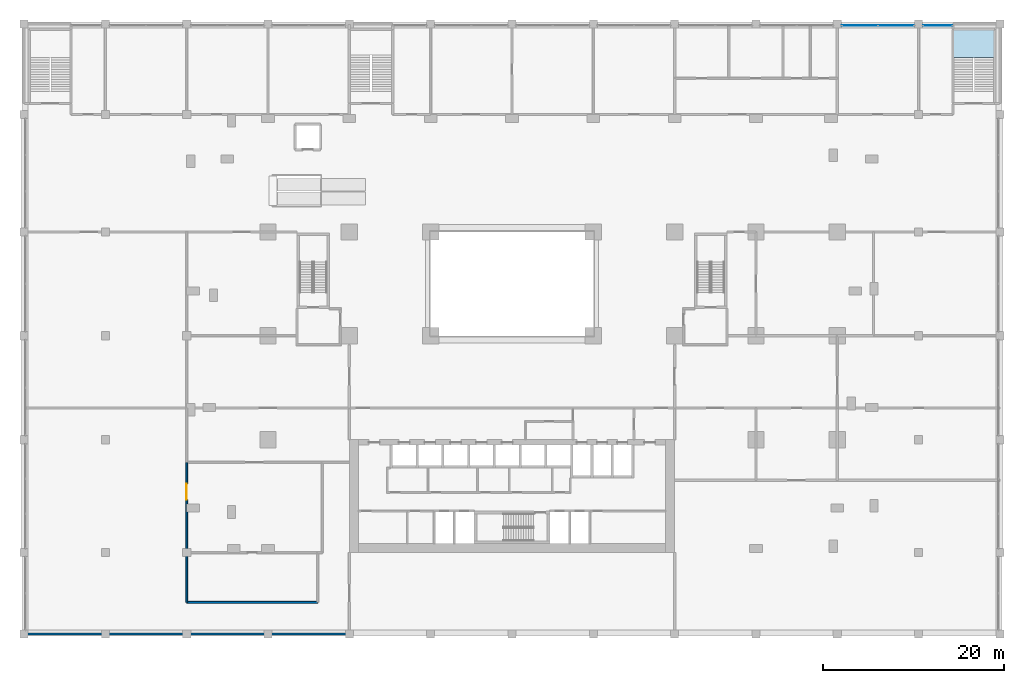
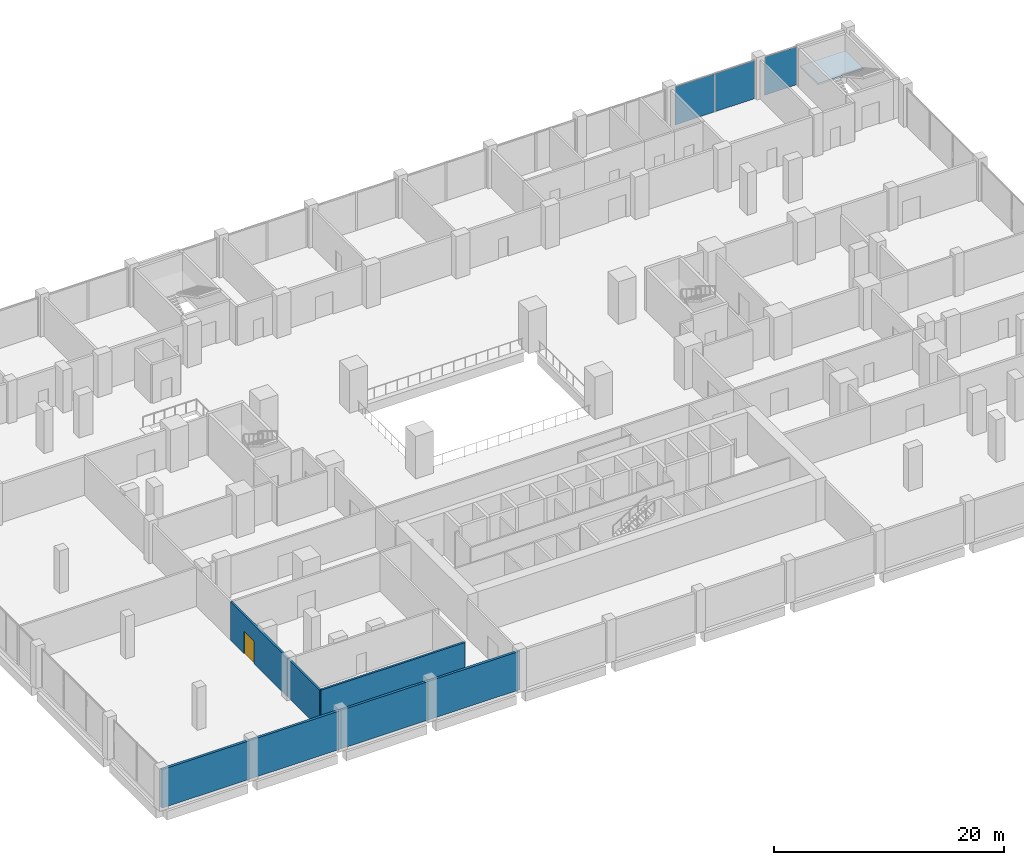
# One storey, part 14 of 22: 5 walls, 3 plates, 1 door, 1 slab, 1 opening, 3 elements without a shape of their own.
"""IFC4 building model written with IfcOpenShell, lengths in metres."""

from ifc_helpers import new_model, si_unit, direction, frame, frame_2d, origin, origin_2d, place, context, subcontext, project, spatial, polyline, rectangle, outline, extrude, material, layer, layer_set, type_object, element, fill, aggregate, save


model = new_model("IFC4")

# Units and contexts
model_context = context("Model", 3, precision=1e-05, world=origin(), true_north=direction((0.0, 1.0)))
body_context = subcontext(model_context, "Body", "Model", "MODEL_VIEW")
ifc_project = project(units=[si_unit("LENGTHUNIT", "METRE"), si_unit("AREAUNIT", "SQUARE_METRE"), si_unit("VOLUMEUNIT", "CUBIC_METRE"), si_unit("PLANEANGLEUNIT", "RADIAN"), si_unit("MASSUNIT", "GRAM", prefix="KILO")], contexts=[model_context])

# Site, building, storey
site_placement = place(None, origin())
site = spatial("IfcSite", under=ifc_project, at=site_placement, CompositionType="ELEMENT")
building_placement = place(site_placement, origin())
building = spatial("IfcBuilding", under=site, at=building_placement, Name="Brigalow Station Residences", CompositionType="ELEMENT")
storey_placement = place(building_placement, frame((0.0, 0.0, 6.5)))
storey = spatial("IfcBuildingStorey", under=building, at=storey_placement, Name="L01", CompositionType="ELEMENT", Elevation=6.5)

# Curtain wall, plate
ifc_material_1 = material(Name="Aluminium", Category="aluminium")
ifc_layer_1 = layer(ifc_material_1, 0.199951171875)
ifc_layer_set_1 = layer_set([ifc_layer_1], Name="PODIUM UNITISED GLAZING CURTAIN WALL")
curtain_wall_type = type_object("IfcCurtainWallType", Name="PODIUM UNITISED GLAZING CURTAIN WALL", PredefinedType="NOTDEFINED", material=ifc_layer_set_1)
curtain_wall_1_placement = place(storey_placement, origin())
curtain_wall_1 = element("IfcCurtainWall", 1, at=curtain_wall_1_placement, inside=storey, type_object=curtain_wall_type, Name="L01/cw/podium-W-L01-19-6", PredefinedType="NOTDEFINED")
ifc_material_2 = material(Name="Laminated low-emissivity double-glazed unit")
ifc_layer_2 = layer(ifc_material_2, 0.0400390625)
ifc_layer_set_2 = layer_set([ifc_layer_2], Name="PODIUM UNITISED GLAZING PANEL 40")
plate_type = type_object("IfcPlateType", Name="PODIUM UNITISED GLAZING PANEL 40", PredefinedType="CURTAIN_PANEL", material=ifc_layer_set_2)
plate_1_placement = place(storey_placement, frame((83.125, 58.35009765625, 0.0), z_axis=(0.0, 0.0, 1.0), x_axis=(-1.0, 0.0, 0.0)))
plate_1 = element("IfcPlate", 2, at=plate_1_placement, type_object=plate_type, Name="L01/cw/podium-W-L01-19-6/P00-00", PredefinedType="CURTAIN_PANEL", context=body_context, shape_type="SweptSolid", body=[
    extrude(rectangle(XDim=3.219970703125, YDim=0.0400390625, at=origin_2d()), origin(), (0.0, 0.0, 1.0), 4.032958984375),
])
aggregate(curtain_wall_1, [plate_1])

# Curtain wall, plates
curtain_wall_2_placement = place(storey_placement, origin())
curtain_wall_2 = element("IfcCurtainWall", 3, at=curtain_wall_2_placement, inside=storey, type_object=curtain_wall_type, Name="L01/cw/podium-W-L01-19-7", PredefinedType="NOTDEFINED")
plate_2_placement = place(storey_placement, frame((78.5087890625, 58.35009765625, 0.0), z_axis=(0.0, 0.0, 1.0), x_axis=(-1.0, 0.0, 0.0)))
plate_2 = element("IfcPlate", 4, at=plate_2_placement, type_object=plate_type, Name="L01/cw/podium-W-L01-19-7/P00-00", PredefinedType="CURTAIN_PANEL", context=body_context, shape_type="SweptSolid", body=[
    extrude(rectangle(XDim=3.952392578125, YDim=0.0400390625, at=origin_2d()), origin(), (0.0, 0.0, 1.0), 4.032958984375),
])
plate_3_placement = place(storey_placement, frame((74.4912109375, 58.35009765625, 0.0), z_axis=(0.0, 0.0, 1.0), x_axis=(-1.0, 0.0, 0.0)))
plate_3 = element("IfcPlate", 5, at=plate_3_placement, type_object=plate_type, Name="L01/cw/podium-W-L01-19-7/P01-00", PredefinedType="CURTAIN_PANEL", context=body_context, shape_type="SweptSolid", body=[
    extrude(rectangle(XDim=3.952392578125, YDim=0.0400390625, at=origin_2d()), origin(), (0.0, 0.0, 1.0), 4.032958984375),
])
aggregate(curtain_wall_2, [plate_2, plate_3])

# Stair, slab
ifc_material_3 = material(Name="Concrete C50", Category="concrete")
stair_type = type_object("IfcStairType", Name="STAIR EXIT 2087 2 FLIGHTS", PredefinedType="TWO_STRAIGHT_RUN_STAIR", material=ifc_material_3)
stair_placement = place(storey_placement, origin())
stair = element("IfcStair", 6, at=stair_placement, inside=storey, type_object=stair_type, Name="Exit stair ST-5", PredefinedType="TWO_STRAIGHT_RUN_STAIR")
ifc_material_4 = material(Name="Concrete C50", Category="concrete")
ifc_layer_3 = layer(ifc_material_4, 0.199951171875)
ifc_layer_set_3 = layer_set([ifc_layer_3], Name="STAIR LANDING")
slab_type = type_object("IfcSlabType", Name="STAIR LANDING", PredefinedType="LANDING", material=ifc_layer_set_3)
slab_placement = place(storey_placement, frame((0.0, 0.0, 2.050048828125)))
slab = element("IfcSlab", 7, at=slab_placement, type_object=slab_type, Name="ST-5 landing 1", PredefinedType="LANDING", context=body_context, shape_type="SweptSolid", body=[
    extrude(outline(polyline([(84.824951171875, 54.804931640625), (89.39990234375, 54.804931640625), (89.39990234375, 57.89990234375), (84.824951171875, 57.89990234375), (84.824951171875, 54.804931640625)])), origin(), (0.0, 0.0, 1.0), 0.199951171875),
])
aggregate(stair, [slab])

# Walls
ifc_material_5 = material(Name="Fire-rated plasterboard on steel studs", Category="steel")
ifc_layer_4 = layer(ifc_material_5, 0.25)
ifc_layer_set_4 = layer_set([ifc_layer_4], Name="FIRE PARTITION 250")
wall_type_1 = type_object("IfcWallType", Name="FIRE PARTITION 250", PredefinedType="PARTITIONING", material=ifc_layer_set_4)
for number, where, z_axis, x_axis, name in (
    (8, (-18.0, -9.0, 0.0), (0.0, 0.0, 1.0), (1.0, 0.0, 0.0), "Fire Partition 250 Residents' Storage Room / OUT"),
    (9, (0.0, -9.0, 0.0), (0.0, 0.0, 1.0), (1.0, 0.0, 0.0), "Fire Partition 250 Residents' Storage Room / OUT"),
):
    element("IfcWall", number, at=place(storey_placement, frame(where, z_axis=z_axis, x_axis=x_axis)), inside=storey, type_object=wall_type_1, Name=name, PredefinedType="PARTITIONING", context=body_context, shape_type="SweptSolid", body=[
        extrude(rectangle(XDim=18.0, YDim=0.25, at=frame_2d((9.0, 0.0))), origin(), (0.0, 0.0, 1.0), 4.097900390625),
    ])

# Wall, opening, door
ifc_material_6 = material(Name="Plasterboard on steel studs with acoustic insulation", Category="steel")
ifc_layer_5 = layer(ifc_material_6, 0.199951171875)
ifc_layer_set_5 = layer_set([ifc_layer_5], Name="PARTITION 200")
wall_type_2 = type_object("IfcWallType", Name="PARTITION 200", PredefinedType="PARTITIONING", material=ifc_layer_set_5)
wall_1_placement = place(storey_placement, frame((0.0, 0.0, 0.0), z_axis=(0.0, 0.0, 1.0), x_axis=(0.0, 1.0, 0.0)))
wall_1 = element("IfcWall", 10, at=wall_1_placement, inside=storey, type_object=wall_type_2, Name="Partition 200 Catering Kitchen / Residents' Storage Room", PredefinedType="PARTITIONING", context=body_context, shape_type="SweptSolid", body=[
    extrude(rectangle(XDim=10.0, YDim=0.199951171875, at=frame_2d((5.0, 0.0))), origin(), (0.0, 0.0, 1.0), 4.097900390625),
])
opening_placement = place(wall_1_placement, frame((5.85009765625, 0.0, 0.0)))
opening = element("IfcOpeningElement", 11, at=opening_placement, cuts=wall_1, Name="Opening D-7326", PredefinedType="OPENING", context=body_context, shape_type="SweptSolid", body=[
    extrude(rectangle(XDim=1.800048828125, YDim=2.39990234375, at=frame_2d((0.89990234375, 1.199951171875))), frame((0.0, 0.10986328125, 0.0), z_axis=(0.0, -1.0, 0.0), x_axis=(1.0, 0.0, 0.0)), (0.0, 0.0, 1.0), 0.219970703125),
])
ifc_material_7 = material(Name="Timber door leaves in steel frame", Category="steel")
door_type = type_object("IfcDoorType", Name="DOOR DOUBLE 1800", OperationType="DOUBLE_DOOR_SINGLE_SWING", PredefinedType="DOOR", material=ifc_material_7)
door_placement = place(opening_placement, origin())
door = element("IfcDoor", 12, at=door_placement, inside=storey, type_object=door_type, Name="Residents' storage room door", OperationType="DOUBLE_DOOR_SINGLE_SWING", OverallHeight=2.39990234375, OverallWidth=1.800048828125, PredefinedType="DOOR", context=body_context, shape_type="SweptSolid", body=[
    extrude(rectangle(XDim=1.800048828125, YDim=2.39990234375, at=frame_2d((0.89990234375, 1.199951171875))), frame((0.0, 0.02490234375, 0.0), z_axis=(0.0, -1.0, 0.0), x_axis=(1.0, 0.0, 0.0)), (0.0, 0.0, 1.0), 0.050048828125),
])
fill(opening, door)

# Walls
wall_2_placement = place(storey_placement, frame((0.0, -5.5, 0.0), z_axis=(0.0, 0.0, 1.0), x_axis=(1.0, 0.0, 0.0)))
element("IfcWall", 13, at=wall_2_placement, inside=storey, type_object=wall_type_2, Name="Partition 200 Wine Room / Residents' Storage Room", PredefinedType="PARTITIONING", context=body_context, shape_type="SweptSolid", body=[
    extrude(rectangle(XDim=14.5, YDim=0.199951171875, at=frame_2d((7.25, 0.0))), origin(), (0.0, 0.0, 1.0), 4.097900390625),
])
wall_3_placement = place(storey_placement, frame((0.0, -5.5, 0.0), z_axis=(0.0, 0.0, 1.0), x_axis=(0.0, 1.0, 0.0)))
element("IfcWall", 14, at=wall_3_placement, inside=storey, type_object=wall_type_2, Name="Partition 200 Wine Room / Residents' Storage Room", PredefinedType="PARTITIONING", context=body_context, shape_type="SweptSolid", body=[
    extrude(rectangle(XDim=5.5, YDim=0.199951171875, at=frame_2d((2.75, 0.0))), origin(), (0.0, 0.0, 1.0), 4.097900390625),
])

save(model, "model.ifc")
